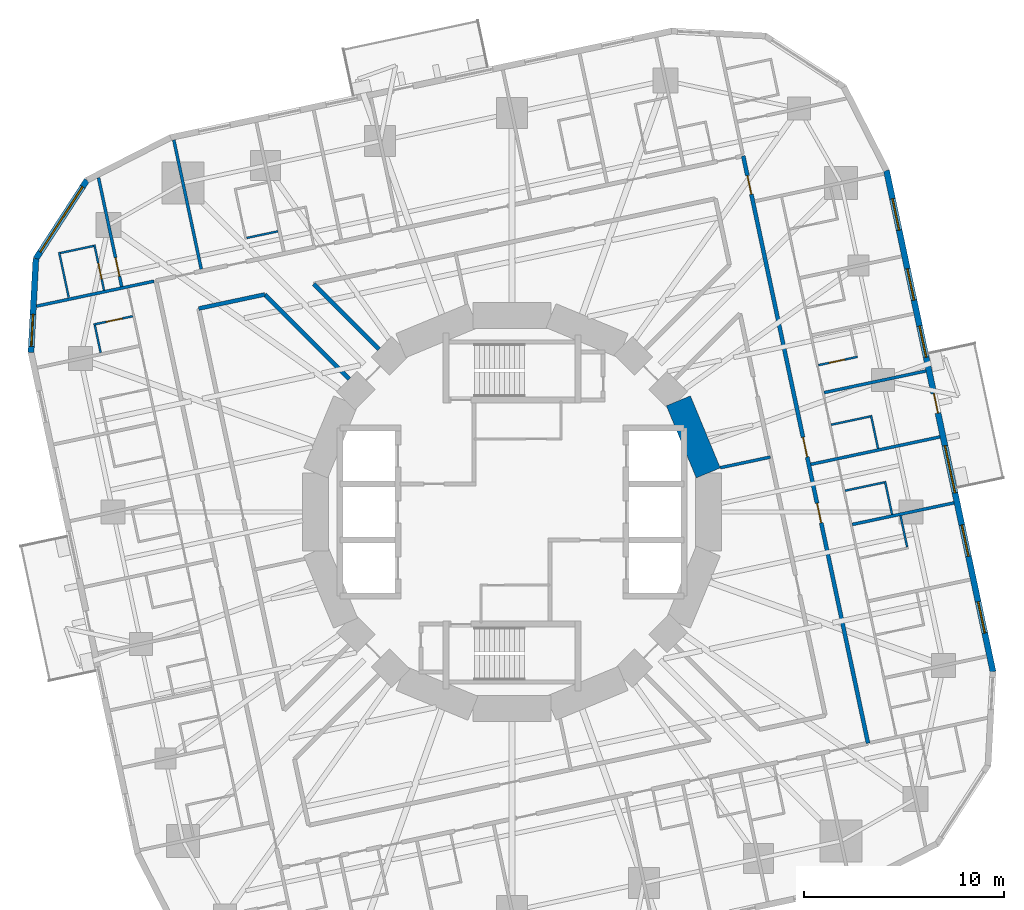
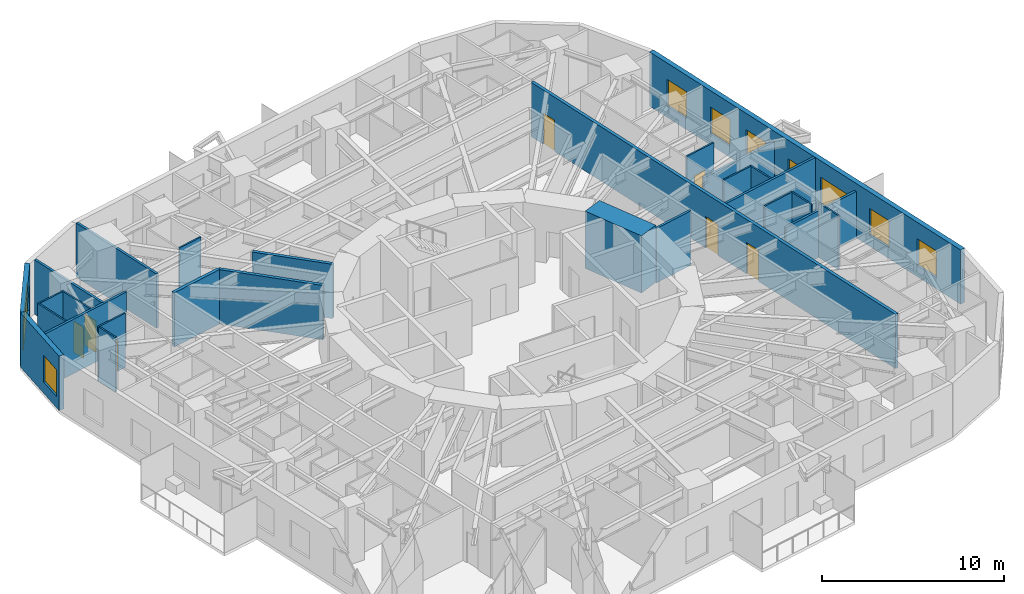
# One storey, part 9 of 14: 27 walls, 8 doors, 8 windows, 16 openings.
"""IFC4 building model written with IfcOpenShell, lengths in metres."""

from ifc_helpers import new_model, si_unit, direction, frame, frame_2d, origin, place, context, subcontext, project, spatial, rectangle, extrude, material, layer, layer_set, type_object, element, fill, save


model = new_model("IFC4")

# Units and contexts
model_context = context("Model", 3, precision=1e-05, world=origin(), true_north=direction((0.0, 1.0)))
body_context = subcontext(model_context, "Body", "Model", "MODEL_VIEW")
ifc_project = project(units=[si_unit("LENGTHUNIT", "METRE"), si_unit("AREAUNIT", "SQUARE_METRE"), si_unit("VOLUMEUNIT", "CUBIC_METRE"), si_unit("PLANEANGLEUNIT", "RADIAN"), si_unit("MASSUNIT", "GRAM", prefix="KILO")], contexts=[model_context])

# Site, building, storey
site_placement = place(None, origin())
site = spatial("IfcSite", under=ifc_project, at=site_placement, CompositionType="ELEMENT")
building_placement = place(site_placement, origin())
building = spatial("IfcBuilding", under=site, at=building_placement, Name="Nakasero Lantern House", CompositionType="ELEMENT")
storey_placement = place(building_placement, frame((0.0, 0.0, 128.10009765625)))
storey = spatial("IfcBuildingStorey", under=building, at=storey_placement, Name="L31", CompositionType="ELEMENT", Elevation=128.10009765625)

# Wall
ifc_material_1 = material(Name="Concrete C50/60", Category="concrete")
ifc_layer_1 = layer(ifc_material_1, 1.300048828125)
ifc_layer_set_1 = layer_set([ifc_layer_1], Name="Core wall 1300")
wall_type_1 = type_object("IfcWallType", Name="Core wall 1300", PredefinedType="SHEAR", material=ifc_layer_set_1)
wall_1_placement = place(storey_placement, frame((9.807861328125, 1.950927734375, 0.0), z_axis=(0.0, 0.0, 1.0), x_axis=(-0.382690736062, 0.923876507187, 0.0)))
element("IfcWall", 1, at=wall_1_placement, inside=storey, type_object=wall_type_1, Name="Core wall L31 facet 1", PredefinedType="SHEAR", context=body_context, shape_type="SweptSolid", body=[
    extrude(rectangle(XDim=3.90185546875, YDim=1.300048828125, at=frame_2d((1.950927734375, 0.0))), origin(), (0.0, 0.0, 1.0), 3.849853515625),
])

# Wall, openings, doors
ifc_material_2 = material(Name="Blockwork", Category="masonry")
ifc_layer_2 = layer(ifc_material_2, 0.199951171875)
ifc_layer_set_2 = layer_set([ifc_layer_2], Name="Corridor wall 200")
wall_type_2 = type_object("IfcWallType", Name="Corridor wall 200", PredefinedType="PARTITIONING", material=ifc_layer_set_2)
wall_2_placement = place(storey_placement, frame((17.790771484375, -11.553466796875, 0.0), z_axis=(0.0, 0.0, 1.0), x_axis=(-0.207911508826, 0.978147639417, 0.0)))
wall_2 = element("IfcWall", 2, at=wall_2_placement, inside=storey, type_object=wall_type_2, Name="Corridor wall L31 CW0", PredefinedType="PARTITIONING", context=body_context, shape_type="SweptSolid", body=[
    extrude(rectangle(XDim=29.999755859375, YDim=0.199951171875, at=frame_2d((15.0, 0.0))), origin(), (0.0, 0.0, 1.0), 3.64990234375),
])
opening_1_placement = place(wall_2_placement, frame((11.255126953125, 0.0, 0.0)))
opening_1 = element("IfcOpeningElement", 3, at=opening_1_placement, cuts=wall_2, Name="Opening D14", PredefinedType="OPENING", context=body_context, shape_type="SweptSolid", body=[
    extrude(rectangle(XDim=1.0, YDim=2.10009765625, at=frame_2d((0.5, 1.050048828125))), frame((0.0, 0.119873046875, 0.0), z_axis=(0.0, -1.0, 0.0), x_axis=(1.0, 0.0, 0.0)), (0.0, 0.0, 1.0), 0.239990234375),
])
opening_2_placement = place(wall_2_placement, frame((14.623779296875, 0.0, 0.0)))
opening_2 = element("IfcOpeningElement", 4, at=opening_2_placement, cuts=wall_2, Name="Opening D14", PredefinedType="OPENING", context=body_context, shape_type="SweptSolid", body=[
    extrude(rectangle(XDim=1.0, YDim=2.10009765625, at=frame_2d((0.5, 1.050048828125))), frame((0.0, 0.119873046875, 0.0), z_axis=(0.0, -1.0, 0.0), x_axis=(1.0, 0.0, 0.0)), (0.0, 0.0, 1.0), 0.239990234375),
])
opening_3_placement = place(wall_2_placement, frame((28.038330078125, 0.0, 0.0)))
opening_3 = element("IfcOpeningElement", 5, at=opening_3_placement, cuts=wall_2, Name="Opening D01", PredefinedType="OPENING", context=body_context, shape_type="SweptSolid", body=[
    extrude(rectangle(XDim=0.949951171875, YDim=2.10009765625, at=frame_2d((0.47509765625, 1.050048828125))), frame((0.0, 0.119873046875, 0.0), z_axis=(0.0, -1.0, 0.0), x_axis=(1.0, 0.0, 0.0)), (0.0, 0.0, 1.0), 0.239990234375),
])
ifc_material_3 = material(Name="Timber C24", Category="wood")
door_type_1 = type_object("IfcDoorType", Name="Bedroom door FD30S 950", OperationType="SINGLE_SWING_LEFT", PredefinedType="DOOR", material=ifc_material_3)
door_1_placement = place(opening_3_placement, origin())
door_1 = element("IfcDoor", 6, at=door_1_placement, inside=storey, type_object=door_type_1, Name="Door L31 D0-08", OperationType="SINGLE_SWING_RIGHT", OverallHeight=2.10009765625, OverallWidth=0.949951171875, PredefinedType="DOOR", context=body_context, shape_type="SweptSolid", body=[
    extrude(rectangle(XDim=0.949951171875, YDim=2.10009765625, at=frame_2d((0.47509765625, 1.050048828125))), frame((0.0, 0.02490234375, 0.0), z_axis=(0.0, -1.0, 0.0), x_axis=(1.0, 0.0, 0.0)), (0.0, 0.0, 1.0), 0.050048828125),
])
fill(opening_3, door_1)
ifc_material_4 = material(Name="Timber C24", Category="wood")
door_type_2 = type_object("IfcDoorType", Name="Cluster entrance door FD30S 1000", OperationType="SINGLE_SWING_LEFT", PredefinedType="DOOR", material=ifc_material_4)
door_2_placement = place(opening_1_placement, origin())
door_2 = element("IfcDoor", 7, at=door_2_placement, inside=storey, type_object=door_type_2, Name="Door L31 DF0-0", OperationType="SINGLE_SWING_LEFT", OverallHeight=2.10009765625, OverallWidth=1.0, PredefinedType="DOOR", context=body_context, shape_type="SweptSolid", body=[
    extrude(rectangle(XDim=1.0, YDim=2.10009765625, at=frame_2d((0.5, 1.050048828125))), frame((0.0, 0.02490234375, 0.0), z_axis=(0.0, -1.0, 0.0), x_axis=(1.0, 0.0, 0.0)), (0.0, 0.0, 1.0), 0.050048828125),
])
fill(opening_1, door_2)
door_3_placement = place(opening_2_placement, origin())
door_3 = element("IfcDoor", 8, at=door_3_placement, inside=storey, type_object=door_type_2, Name="Door L31 DF0-1", OperationType="SINGLE_SWING_RIGHT", OverallHeight=2.10009765625, OverallWidth=1.0, PredefinedType="DOOR", context=body_context, shape_type="SweptSolid", body=[
    extrude(rectangle(XDim=1.0, YDim=2.10009765625, at=frame_2d((0.5, 1.050048828125))), frame((0.0, 0.02490234375, 0.0), z_axis=(0.0, -1.0, 0.0), x_axis=(1.0, 0.0, 0.0)), (0.0, 0.0, 1.0), 0.050048828125),
])
fill(opening_2, door_3)

# Walls
wall_3_placement = place(storey_placement, frame((-12.35400390625, 10.868896484375, 0.0), z_axis=(0.0, 0.0, 1.0), x_axis=(-0.978145063506, -0.207923627178, 0.0)))
element("IfcWall", 9, at=wall_3_placement, inside=storey, type_object=wall_type_2, Name="Corridor wall L31 IW1-1", PredefinedType="PARTITIONING", context=body_context, shape_type="SweptSolid", body=[
    extrude(rectangle(XDim=3.375732421875, YDim=0.199951171875, at=frame_2d((1.68798828125, 0.0))), origin(), (0.0, 0.0, 1.0), 3.64990234375),
])
wall_4_placement = place(storey_placement, frame((-8.13720703125, 6.65234375, 0.0), z_axis=(0.0, 0.0, 1.0), x_axis=(-0.707127251225, 0.707086310555, 0.0)))
element("IfcWall", 10, at=wall_4_placement, inside=storey, type_object=wall_type_2, Name="Corridor wall L31 PS06a", PredefinedType="PARTITIONING", context=body_context, shape_type="SweptSolid", body=[
    extrude(rectangle(XDim=5.96337890625, YDim=0.199951171875, at=frame_2d((2.981689453125, 0.0))), origin(), (0.0, 0.0, 1.0), 3.64990234375),
])
wall_5_placement = place(storey_placement, frame((-6.65234375, 8.13720703125, 0.0), z_axis=(0.0, 0.0, 1.0), x_axis=(-0.707106781187, 0.707106781187, 0.0)))
element("IfcWall", 11, at=wall_5_placement, inside=storey, type_object=wall_type_2, Name="Corridor wall L31 PS06b", PredefinedType="PARTITIONING", context=body_context, shape_type="SweptSolid", body=[
    extrude(rectangle(XDim=4.599609375, YDim=0.199951171875, at=frame_2d((2.2998046875, 0.0))), origin(), (0.0, 0.0, 1.0), 3.64990234375),
])
ifc_material_5 = material(Name="Blockwork", Category="masonry")
ifc_layer_3 = layer(ifc_material_5, 0.10009765625)
ifc_layer_set_3 = layer_set([ifc_layer_3], Name="En-suite wall 100")
wall_type_3 = type_object("IfcWallType", Name="En-suite wall 100", PredefinedType="PARTITIONING", material=ifc_layer_set_3)
wall_6_placement = place(storey_placement, frame((16.642578125, 1.0634765625, 0.0), z_axis=(0.0, 0.0, 1.0), x_axis=(0.978134617382, 0.207972763311, 0.0)))
element("IfcWall", 12, at=wall_6_placement, inside=storey, type_object=wall_type_3, Name="En-suite wall L31 SS0-0", PredefinedType="PARTITIONING", context=body_context, shape_type="SweptSolid", body=[
    extrude(rectangle(XDim=2.10009765625, YDim=0.10009765625, at=frame_2d((1.050048828125, 0.0))), origin(), (0.0, 0.0, 1.0), 3.64990234375),
])
wall_7_placement = place(storey_placement, frame((18.99072265625, -0.124267578125, 0.0), z_axis=(0.0, 0.0, 1.0), x_axis=(-0.207812379357, 0.978168704767, 0.0)))
element("IfcWall", 13, at=wall_7_placement, inside=storey, type_object=wall_type_3, Name="En-suite wall L31 SE0-0", PredefinedType="PARTITIONING", context=body_context, shape_type="SweptSolid", body=[
    extrude(rectangle(XDim=1.699951171875, YDim=0.10009765625, at=frame_2d((0.85009765625, 0.0))), origin(), (0.0, 0.0, 1.0), 3.64990234375),
])
wall_8_placement = place(storey_placement, frame((15.942138671875, 4.358642578125, 0.0), z_axis=(0.0, 0.0, 1.0), x_axis=(0.97815826, 0.207861536591, 0.0)))
element("IfcWall", 14, at=wall_8_placement, inside=storey, type_object=wall_type_3, Name="En-suite wall L31 SS0-1", PredefinedType="PARTITIONING", context=body_context, shape_type="SweptSolid", body=[
    extrude(rectangle(XDim=2.10009765625, YDim=0.10009765625, at=frame_2d((1.050048828125, 0.0))), origin(), (0.0, 0.0, 1.0), 3.64990234375),
])
wall_9_placement = place(storey_placement, frame((18.29052734375, 3.1708984375, 0.0), z_axis=(0.0, 0.0, 1.0), x_axis=(-0.207949787024, 0.97813950236, 0.0)))
element("IfcWall", 15, at=wall_9_placement, inside=storey, type_object=wall_type_3, Name="En-suite wall L31 SE0-1", PredefinedType="PARTITIONING", context=body_context, shape_type="SweptSolid", body=[
    extrude(rectangle(XDim=1.699951171875, YDim=0.10009765625, at=frame_2d((0.85009765625, 0.0))), origin(), (0.0, 0.0, 1.0), 3.64990234375),
])
wall_10_placement = place(storey_placement, frame((19.745849609375, -1.752685546875, 0.0), z_axis=(0.0, 0.0, 1.0), x_axis=(-0.207840504985, 0.978162729042, 0.0)))
element("IfcWall", 16, at=wall_10_placement, inside=storey, type_object=wall_type_3, Name="En-suite wall L31 EE0-02", PredefinedType="PARTITIONING", context=body_context, shape_type="SweptSolid", body=[
    extrude(rectangle(XDim=1.599853515625, YDim=0.10009765625, at=frame_2d((0.7998046875, 0.0))), origin(), (0.0, 0.0, 1.0), 3.64990234375),
])

# Wall, opening, door
wall_11_placement = place(storey_placement, frame((15.30908203125, 7.337158203125, 0.0), z_axis=(0.0, 0.0, 1.0), x_axis=(0.978152955943, 0.207886494942, 0.0)))
wall_11 = element("IfcWall", 17, at=wall_11_placement, inside=storey, type_object=wall_type_3, Name="En-suite wall L31 ES0-05", PredefinedType="PARTITIONING", context=body_context, shape_type="SweptSolid", body=[
    extrude(rectangle(XDim=2.0, YDim=0.10009765625, at=frame_2d((1.0, 0.0))), origin(), (0.0, 0.0, 1.0), 3.64990234375),
])
opening_4_placement = place(wall_11_placement, frame((0.550048828125, 0.0, 0.0)))
opening_4 = element("IfcOpeningElement", 18, at=opening_4_placement, cuts=wall_11, Name="Opening D02", PredefinedType="OPENING", context=body_context, shape_type="SweptSolid", body=[
    extrude(rectangle(XDim=0.800048828125, YDim=2.10009765625, at=frame_2d((0.39990234375, 1.050048828125))), frame((0.0, 0.070068359375, 0.0), z_axis=(0.0, -1.0, 0.0), x_axis=(1.0, 0.0, 0.0)), (0.0, 0.0, 1.0), 0.14013671875),
])
ifc_material_6 = material(Name="Timber C24", Category="wood")
door_type_3 = type_object("IfcDoorType", Name="En-suite door 800", OperationType="SINGLE_SWING_RIGHT", PredefinedType="DOOR", material=ifc_material_6)
door_4_placement = place(opening_4_placement, origin())
door_4 = element("IfcDoor", 19, at=door_4_placement, inside=storey, type_object=door_type_3, Name="Door L31 DE0-05", OperationType="SINGLE_SWING_LEFT", OverallHeight=2.10009765625, OverallWidth=0.800048828125, PredefinedType="DOOR", context=body_context, shape_type="SweptSolid", body=[
    extrude(rectangle(XDim=0.800048828125, YDim=2.10009765625, at=frame_2d((0.39990234375, 1.050048828125))), frame((0.0, 0.02490234375, 0.0), z_axis=(0.0, -1.0, 0.0), x_axis=(1.0, 0.0, 0.0)), (0.0, 0.0, 1.0), 0.050048828125),
])
fill(opening_4, door_4)

# Wall
wall_12_placement = place(storey_placement, frame((-11.69189453125, 14.025634765625, 0.0), z_axis=(0.0, 0.0, 1.0), x_axis=(-0.978131695374, -0.207986505584, 0.0)))
element("IfcWall", 20, at=wall_12_placement, inside=storey, type_object=wall_type_3, Name="En-suite wall L31 EI1-07", PredefinedType="PARTITIONING", context=body_context, shape_type="SweptSolid", body=[
    extrude(rectangle(XDim=1.599853515625, YDim=0.10009765625, at=frame_2d((0.7998046875, 0.0))), origin(), (0.0, 0.0, 1.0), 3.64990234375),
])

# Wall, opening, door
wall_13_placement = place(storey_placement, frame((-20.382568359375, 11.069091796875, 0.0), z_axis=(0.0, 0.0, 1.0), x_axis=(-0.207965047255, 0.978136257952, 0.0)))
wall_13 = element("IfcWall", 21, at=wall_13_placement, inside=storey, type_object=wall_type_3, Name="En-suite wall L31 ES1-08", PredefinedType="PARTITIONING", context=body_context, shape_type="SweptSolid", body=[
    extrude(rectangle(XDim=2.3349609375, YDim=0.10009765625, at=frame_2d((1.16748046875, 0.0))), origin(), (0.0, 0.0, 1.0), 3.64990234375),
])
opening_5_placement = place(wall_13_placement, frame((0.5849609375, 0.0, 0.0)))
opening_5 = element("IfcOpeningElement", 22, at=opening_5_placement, cuts=wall_13, Name="Opening D02", PredefinedType="OPENING", context=body_context, shape_type="SweptSolid", body=[
    extrude(rectangle(XDim=0.800048828125, YDim=2.10009765625, at=frame_2d((0.39990234375, 1.050048828125))), frame((0.0, 0.070068359375, 0.0), z_axis=(0.0, -1.0, 0.0), x_axis=(1.0, 0.0, 0.0)), (0.0, 0.0, 1.0), 0.14013671875),
])
door_5_placement = place(opening_5_placement, origin())
door_5 = element("IfcDoor", 23, at=door_5_placement, inside=storey, type_object=door_type_3, Name="Door L31 DE1-08", OperationType="SINGLE_SWING_LEFT", OverallHeight=2.10009765625, OverallWidth=0.800048828125, PredefinedType="DOOR", context=body_context, shape_type="SweptSolid", body=[
    extrude(rectangle(XDim=0.800048828125, YDim=2.10009765625, at=frame_2d((0.39990234375, 1.050048828125))), frame((0.0, 0.02490234375, 0.0), z_axis=(0.0, -1.0, 0.0), x_axis=(1.0, 0.0, 0.0)), (0.0, 0.0, 1.0), 0.050048828125),
])
fill(opening_5, door_5)

# Walls
wall_14_placement = place(storey_placement, frame((-20.906494140625, 13.293701171875, 0.0), z_axis=(0.0, 0.0, 1.0), x_axis=(-0.978168704767, -0.207812379357, 0.0)))
element("IfcWall", 24, at=wall_14_placement, inside=storey, type_object=wall_type_3, Name="En-suite wall L31 EE1-08", PredefinedType="PARTITIONING", context=body_context, shape_type="SweptSolid", body=[
    extrude(rectangle(XDim=1.699951171875, YDim=0.10009765625, at=frame_2d((0.85009765625, 0.0))), origin(), (0.0, 0.0, 1.0), 3.64990234375),
])
wall_15_placement = place(storey_placement, frame((-22.150634765625, 10.72900390625, 0.0), z_axis=(0.0, 0.0, 1.0), x_axis=(-0.207839712757, 0.978162897375, 0.0)))
element("IfcWall", 25, at=wall_15_placement, inside=storey, type_object=wall_type_3, Name="En-suite wall L31 EV1-08", PredefinedType="PARTITIONING", context=body_context, shape_type="SweptSolid", body=[
    extrude(rectangle(XDim=2.300048828125, YDim=0.10009765625, at=frame_2d((1.14990234375, 0.0))), origin(), (0.0, 0.0, 1.0), 3.64990234375),
])

# Wall, opening, door
wall_16_placement = place(storey_placement, frame((-18.947998046875, 9.783203125, 0.0), z_axis=(0.0, 0.0, 1.0), x_axis=(-0.978128127149, -0.208003285743, 0.0)))
wall_16 = element("IfcWall", 26, at=wall_16_placement, inside=storey, type_object=wall_type_3, Name="En-suite wall L31 ES2-00", PredefinedType="PARTITIONING", context=body_context, shape_type="SweptSolid", body=[
    extrude(rectangle(XDim=2.0, YDim=0.10009765625, at=frame_2d((1.0, 0.0))), origin(), (0.0, 0.0, 1.0), 3.64990234375),
])
opening_6_placement = place(wall_16_placement, frame((0.550048828125, 0.0, 0.0)))
opening_6 = element("IfcOpeningElement", 27, at=opening_6_placement, cuts=wall_16, Name="Opening D02", PredefinedType="OPENING", context=body_context, shape_type="SweptSolid", body=[
    extrude(rectangle(XDim=0.800048828125, YDim=2.10009765625, at=frame_2d((0.39990234375, 1.050048828125))), frame((0.0, 0.070068359375, 0.0), z_axis=(0.0, -1.0, 0.0), x_axis=(1.0, 0.0, 0.0)), (0.0, 0.0, 1.0), 0.14013671875),
])
door_6_placement = place(opening_6_placement, origin())
door_6 = element("IfcDoor", 28, at=door_6_placement, inside=storey, type_object=door_type_3, Name="Door L31 DE2-00", OperationType="SINGLE_SWING_LEFT", OverallHeight=2.10009765625, OverallWidth=0.800048828125, PredefinedType="DOOR", context=body_context, shape_type="SweptSolid", body=[
    extrude(rectangle(XDim=0.800048828125, YDim=2.10009765625, at=frame_2d((0.39990234375, 1.050048828125))), frame((0.0, 0.02490234375, 0.0), z_axis=(0.0, -1.0, 0.0), x_axis=(1.0, 0.0, 0.0)), (0.0, 0.0, 1.0), 0.050048828125),
])
fill(opening_6, door_6)

# Wall
wall_17_placement = place(storey_placement, frame((-20.844970703125, 9.328857421875, 0.0), z_axis=(0.0, 0.0, 1.0), x_axis=(0.207873355681, -0.978155748334, 0.0)))
element("IfcWall", 29, at=wall_17_placement, inside=storey, type_object=wall_type_3, Name="En-suite wall L31 EE2-00", PredefinedType="PARTITIONING", context=body_context, shape_type="SweptSolid", body=[
    extrude(rectangle(XDim=1.39990234375, YDim=0.10009765625, at=frame_2d((0.699951171875, 0.0))), origin(), (0.0, 0.0, 1.0), 3.64990234375),
])

# Wall, openings, door, windows
ifc_material_7 = material(Name="Aluminium rainscreen on blockwork", Category="masonry")
ifc_layer_4 = layer(ifc_material_7, 0.300048828125)
ifc_layer_set_4 = layer_set([ifc_layer_4], Name="Facade wall 300")
wall_type_4 = type_object("IfcWallType", Name="Facade wall 300", PredefinedType="SOLIDWALL", material=ifc_layer_set_4)
wall_18_placement = place(storey_placement, frame((24.03369140625, -7.9775390625, 0.0), z_axis=(0.0, 0.0, 1.0), x_axis=(-0.207909055127, 0.978148160964, 0.0)))
wall_18 = element("IfcWall", 30, at=wall_18_placement, inside=storey, type_object=wall_type_4, Name="Facade wall L31 FW0S", PredefinedType="SOLIDWALL", context=body_context, shape_type="SweptSolid", body=[
    extrude(rectangle(XDim=25.60009765625, YDim=0.300048828125, at=frame_2d((12.800048828125, 0.0))), origin(), (0.0, 0.0, 1.0), 3.64990234375),
])
opening_7_placement = place(wall_18_placement, frame((1.975830078125, 0.0, 0.75)))
opening_7 = element("IfcOpeningElement", 31, at=opening_7_placement, cuts=wall_18, Name="Opening W01", PredefinedType="OPENING", context=body_context, shape_type="SweptSolid", body=[
    extrude(rectangle(XDim=1.60009765625, YDim=1.800048828125, at=frame_2d((0.800048828125, 0.89990234375))), frame((0.0, 0.169921875, 0.0), z_axis=(0.0, -1.0, 0.0), x_axis=(1.0, 0.0, 0.0)), (0.0, 0.0, 1.0), 0.340087890625),
])
opening_8_placement = place(wall_18_placement, frame((5.8955078125, 0.0, 0.75)))
opening_8 = element("IfcOpeningElement", 32, at=opening_8_placement, cuts=wall_18, Name="Opening W01", PredefinedType="OPENING", context=body_context, shape_type="SweptSolid", body=[
    extrude(rectangle(XDim=1.60009765625, YDim=1.800048828125, at=frame_2d((0.800048828125, 0.89990234375))), frame((0.0, 0.169921875, 0.0), z_axis=(0.0, -1.0, 0.0), x_axis=(1.0, 0.0, 0.0)), (0.0, 0.0, 1.0), 0.340087890625),
])
opening_9_placement = place(wall_18_placement, frame((16.0556640625, 0.0, 0.75)))
opening_9 = element("IfcOpeningElement", 33, at=opening_9_placement, cuts=wall_18, Name="Opening W01", PredefinedType="OPENING", context=body_context, shape_type="SweptSolid", body=[
    extrude(rectangle(XDim=1.60009765625, YDim=1.800048828125, at=frame_2d((0.800048828125, 0.89990234375))), frame((0.0, 0.169921875, 0.0), z_axis=(0.0, -1.0, 0.0), x_axis=(1.0, 0.0, 0.0)), (0.0, 0.0, 1.0), 0.340087890625),
])
opening_10_placement = place(wall_18_placement, frame((18.982177734375, 0.0, 0.75)))
opening_10 = element("IfcOpeningElement", 34, at=opening_10_placement, cuts=wall_18, Name="Opening W01", PredefinedType="OPENING", context=body_context, shape_type="SweptSolid", body=[
    extrude(rectangle(XDim=1.60009765625, YDim=1.800048828125, at=frame_2d((0.800048828125, 0.89990234375))), frame((0.0, 0.169921875, 0.0), z_axis=(0.0, -1.0, 0.0), x_axis=(1.0, 0.0, 0.0)), (0.0, 0.0, 1.0), 0.340087890625),
])
opening_11_placement = place(wall_18_placement, frame((22.554443359375, 0.0, 0.75)))
opening_11 = element("IfcOpeningElement", 35, at=opening_11_placement, cuts=wall_18, Name="Opening W01", PredefinedType="OPENING", context=body_context, shape_type="SweptSolid", body=[
    extrude(rectangle(XDim=1.60009765625, YDim=1.800048828125, at=frame_2d((0.800048828125, 0.89990234375))), frame((0.0, 0.169921875, 0.0), z_axis=(0.0, -1.0, 0.0), x_axis=(1.0, 0.0, 0.0)), (0.0, 0.0, 1.0), 0.340087890625),
])
opening_12_placement = place(wall_18_placement, frame((9.139404296875, 0.0, 0.75)))
opening_12 = element("IfcOpeningElement", 36, at=opening_12_placement, cuts=wall_18, Name="Opening W03", PredefinedType="OPENING", context=body_context, shape_type="SweptSolid", body=[
    extrude(rectangle(XDim=2.39990234375, YDim=1.800048828125, at=frame_2d((1.199951171875, 0.89990234375))), frame((0.0, 0.169921875, 0.0), z_axis=(0.0, -1.0, 0.0), x_axis=(1.0, 0.0, 0.0)), (0.0, 0.0, 1.0), 0.340087890625),
])
opening_13_placement = place(wall_18_placement, frame((13.208251953125, 0.0, 0.0)))
opening_13 = element("IfcOpeningElement", 37, at=opening_13_placement, cuts=wall_18, Name="Opening D04", PredefinedType="OPENING", context=body_context, shape_type="SweptSolid", body=[
    extrude(rectangle(XDim=1.0, YDim=2.39990234375, at=frame_2d((0.5, 1.199951171875))), frame((0.0, 0.169921875, 0.0), z_axis=(0.0, -1.0, 0.0), x_axis=(1.0, 0.0, 0.0)), (0.0, 0.0, 1.0), 0.340087890625),
])
ifc_material_8 = material(Name="Aluminium 6063-T6 and glass", Category="aluminium")
door_type_4 = type_object("IfcDoorType", Name="Balcony door 1000x2400", OperationType="SINGLE_SWING_RIGHT", PredefinedType="DOOR", material=ifc_material_8)
door_7_placement = place(opening_13_placement, origin())
door_7 = element("IfcDoor", 38, at=door_7_placement, inside=storey, type_object=door_type_4, Name="Balcony door L31 DB0", OperationType="SINGLE_SWING_RIGHT", OverallHeight=2.39990234375, OverallWidth=1.0, PredefinedType="DOOR", context=body_context, shape_type="SweptSolid", body=[
    extrude(rectangle(XDim=1.0, YDim=2.39990234375, at=frame_2d((0.5, 1.199951171875))), frame((0.0, 0.02490234375, 0.0), z_axis=(0.0, -1.0, 0.0), x_axis=(1.0, 0.0, 0.0)), (0.0, 0.0, 1.0), 0.050048828125),
])
fill(opening_13, door_7)
ifc_material_9 = material(Name="Aluminium 6063-T6 and glass", Category="aluminium")
window_type_1 = type_object("IfcWindowType", Name="Bedroom window 1600x1800", PartitioningType="SINGLE_PANEL", PredefinedType="WINDOW", material=ifc_material_9)
window_1_placement = place(opening_7_placement, origin())
window_1 = element("IfcWindow", 39, at=window_1_placement, inside=storey, type_object=window_type_1, Name="Window L31 WN0-01", OverallHeight=1.800048828125, OverallWidth=1.60009765625, PartitioningType="SINGLE_PANEL", PredefinedType="WINDOW", context=body_context, shape_type="SweptSolid", body=[
    extrude(rectangle(XDim=1.60009765625, YDim=1.800048828125, at=frame_2d((0.800048828125, 0.89990234375))), frame((0.0, 0.030029296875, 0.0), z_axis=(0.0, -1.0, 0.0), x_axis=(1.0, 0.0, 0.0)), (0.0, 0.0, 1.0), 0.06005859375),
])
fill(opening_7, window_1)
window_2_placement = place(opening_8_placement, origin())
window_2 = element("IfcWindow", 40, at=window_2_placement, inside=storey, type_object=window_type_1, Name="Window L31 WN0-02", OverallHeight=1.800048828125, OverallWidth=1.60009765625, PartitioningType="SINGLE_PANEL", PredefinedType="WINDOW", context=body_context, shape_type="SweptSolid", body=[
    extrude(rectangle(XDim=1.60009765625, YDim=1.800048828125, at=frame_2d((0.800048828125, 0.89990234375))), frame((0.0, 0.030029296875, 0.0), z_axis=(0.0, -1.0, 0.0), x_axis=(1.0, 0.0, 0.0)), (0.0, 0.0, 1.0), 0.06005859375),
])
fill(opening_8, window_2)
window_3_placement = place(opening_9_placement, origin())
window_3 = element("IfcWindow", 41, at=window_3_placement, inside=storey, type_object=window_type_1, Name="Window L31 WN0-05", OverallHeight=1.800048828125, OverallWidth=1.60009765625, PartitioningType="SINGLE_PANEL", PredefinedType="WINDOW", context=body_context, shape_type="SweptSolid", body=[
    extrude(rectangle(XDim=1.60009765625, YDim=1.800048828125, at=frame_2d((0.800048828125, 0.89990234375))), frame((0.0, 0.030029296875, 0.0), z_axis=(0.0, -1.0, 0.0), x_axis=(1.0, 0.0, 0.0)), (0.0, 0.0, 1.0), 0.06005859375),
])
fill(opening_9, window_3)
window_4_placement = place(opening_10_placement, origin())
window_4 = element("IfcWindow", 42, at=window_4_placement, inside=storey, type_object=window_type_1, Name="Window L31 WN0-06", OverallHeight=1.800048828125, OverallWidth=1.60009765625, PartitioningType="SINGLE_PANEL", PredefinedType="WINDOW", context=body_context, shape_type="SweptSolid", body=[
    extrude(rectangle(XDim=1.60009765625, YDim=1.800048828125, at=frame_2d((0.800048828125, 0.89990234375))), frame((0.0, 0.030029296875, 0.0), z_axis=(0.0, -1.0, 0.0), x_axis=(1.0, 0.0, 0.0)), (0.0, 0.0, 1.0), 0.06005859375),
])
fill(opening_10, window_4)
window_5_placement = place(opening_11_placement, origin())
window_5 = element("IfcWindow", 43, at=window_5_placement, inside=storey, type_object=window_type_1, Name="Window L31 WN0-07", OverallHeight=1.800048828125, OverallWidth=1.60009765625, PartitioningType="SINGLE_PANEL", PredefinedType="WINDOW", context=body_context, shape_type="SweptSolid", body=[
    extrude(rectangle(XDim=1.60009765625, YDim=1.800048828125, at=frame_2d((0.800048828125, 0.89990234375))), frame((0.0, 0.030029296875, 0.0), z_axis=(0.0, -1.0, 0.0), x_axis=(1.0, 0.0, 0.0)), (0.0, 0.0, 1.0), 0.06005859375),
])
fill(opening_11, window_5)
ifc_material_10 = material(Name="Aluminium 6063-T6 and glass", Category="aluminium")
window_type_2 = type_object("IfcWindowType", Name="Lounge window 2400x1800", PartitioningType="SINGLE_PANEL", PredefinedType="WINDOW", material=ifc_material_10)
window_6_placement = place(opening_12_placement, origin())
window_6 = element("IfcWindow", 44, at=window_6_placement, inside=storey, type_object=window_type_2, Name="Window L31 WK0", OverallHeight=1.800048828125, OverallWidth=2.39990234375, PartitioningType="SINGLE_PANEL", PredefinedType="WINDOW", context=body_context, shape_type="SweptSolid", body=[
    extrude(rectangle(XDim=2.39990234375, YDim=1.800048828125, at=frame_2d((1.199951171875, 0.89990234375))), frame((0.0, 0.030029296875, 0.0), z_axis=(0.0, -1.0, 0.0), x_axis=(1.0, 0.0, 0.0)), (0.0, 0.0, 1.0), 0.06005859375),
])
fill(opening_12, window_6)

# Wall, opening, window
wall_19_placement = place(storey_placement, frame((-21.2373046875, 16.58447265625, 0.0), z_axis=(0.0, 0.0, 1.0), x_axis=(-0.544605442853, -0.838692381994, 0.0)))
wall_19 = element("IfcWall", 45, at=wall_19_placement, inside=storey, type_object=wall_type_4, Name="Facade wall L31 FW1C2", PredefinedType="SOLIDWALL", context=body_context, shape_type="SweptSolid", body=[
    extrude(rectangle(XDim=4.6845703125, YDim=0.300048828125, at=frame_2d((2.34228515625, 0.0))), origin(), (0.0, 0.0, 1.0), 3.64990234375),
])
opening_14_placement = place(wall_19_placement, frame((0.39990234375, 0.0, 0.75)))
opening_14 = element("IfcOpeningElement", 46, at=opening_14_placement, cuts=wall_19, Name="Opening W238", PredefinedType="OPENING", context=body_context, shape_type="SweptSolid", body=[
    extrude(rectangle(XDim=3.885009765625, YDim=1.800048828125, at=frame_2d((1.9423828125, 0.89990234375))), frame((0.0, 0.169921875, 0.0), z_axis=(0.0, -1.0, 0.0), x_axis=(1.0, 0.0, 0.0)), (0.0, 0.0, 1.0), 0.340087890625),
])
ifc_material_11 = material(Name="Aluminium 6063-T6 and glass", Category="aluminium")
window_type_3 = type_object("IfcWindowType", Name="Corner window 3885x1800", PartitioningType="SINGLE_PANEL", PredefinedType="WINDOW", material=ifc_material_11)
window_7_placement = place(opening_14_placement, origin())
window_7 = element("IfcWindow", 47, at=window_7_placement, inside=storey, type_object=window_type_3, Name="Window L31 WC1", OverallHeight=1.800048828125, OverallWidth=3.885009765625, PartitioningType="SINGLE_PANEL", PredefinedType="WINDOW", context=body_context, shape_type="SweptSolid", body=[
    extrude(rectangle(XDim=3.885009765625, YDim=1.800048828125, at=frame_2d((1.9423828125, 0.89990234375))), frame((0.0, 0.030029296875, 0.0), z_axis=(0.0, -1.0, 0.0), x_axis=(1.0, 0.0, 0.0)), (0.0, 0.0, 1.0), 0.06005859375),
])
fill(opening_14, window_7)

wall_20_placement = place(storey_placement, frame((-23.78857421875, 12.655517578125, 0.0), z_axis=(0.0, 0.0, 1.0), x_axis=(-0.052326317, -0.998630039879, 0.0)))
wall_20 = element("IfcWall", 48, at=wall_20_placement, inside=storey, type_object=wall_type_4, Name="Facade wall L31 FW1C3", PredefinedType="SOLIDWALL", context=body_context, shape_type="SweptSolid", body=[
    extrude(rectangle(XDim=4.684326171875, YDim=0.300048828125, at=frame_2d((2.34228515625, 0.0))), origin(), (0.0, 0.0, 1.0), 3.64990234375),
])
opening_15_placement = place(wall_20_placement, frame((2.784912109375, 0.0, 0.75)))
opening_15 = element("IfcOpeningElement", 49, at=opening_15_placement, cuts=wall_20, Name="Opening W01", PredefinedType="OPENING", context=body_context, shape_type="SweptSolid", body=[
    extrude(rectangle(XDim=1.60009765625, YDim=1.800048828125, at=frame_2d((0.800048828125, 0.89990234375))), frame((0.0, 0.169921875, 0.0), z_axis=(0.0, -1.0, 0.0), x_axis=(1.0, 0.0, 0.0)), (0.0, 0.0, 1.0), 0.340087890625),
])
window_8_placement = place(opening_15_placement, origin())
window_8 = element("IfcWindow", 50, at=window_8_placement, inside=storey, type_object=window_type_1, Name="Window L31 WN2-00", OverallHeight=1.800048828125, OverallWidth=1.60009765625, PartitioningType="SINGLE_PANEL", PredefinedType="WINDOW", context=body_context, shape_type="SweptSolid", body=[
    extrude(rectangle(XDim=1.60009765625, YDim=1.800048828125, at=frame_2d((0.800048828125, 0.89990234375))), frame((0.0, 0.030029296875, 0.0), z_axis=(0.0, -1.0, 0.0), x_axis=(1.0, 0.0, 0.0)), (0.0, 0.0, 1.0), 0.06005859375),
])
fill(opening_15, window_8)

# Walls
ifc_material_12 = material(Name="Blockwork", Category="masonry")
ifc_layer_5 = layer(ifc_material_12, 0.14990234375)
ifc_layer_set_5 = layer_set([ifc_layer_5], Name="Party wall 150")
wall_type_5 = type_object("IfcWallType", Name="Party wall 150", PredefinedType="PARTITIONING", material=ifc_layer_set_5)
wall_21_placement = place(storey_placement, frame((17.001220703125, -0.623779296875, 0.0), z_axis=(0.0, 0.0, 1.0), x_axis=(0.978141904084, 0.207938489641, 0.0)))
element("IfcWall", 51, at=wall_21_placement, inside=storey, type_object=wall_type_5, Name="Party wall L31 PW0-03", PredefinedType="PARTITIONING", context=body_context, shape_type="SweptSolid", body=[
    extrude(rectangle(XDim=5.2001953125, YDim=0.14990234375, at=frame_2d((2.60009765625, 0.0))), origin(), (0.0, 0.0, 1.0), 3.12158203125),
])
wall_22_placement = place(storey_placement, frame((14.931396484375, 2.38037109375, 0.0), z_axis=(0.0, 0.0, 1.0), x_axis=(0.97815236361, 0.207889281984, 0.0)))
element("IfcWall", 52, at=wall_22_placement, inside=storey, type_object=wall_type_5, Name="Party wall L31 PW0-04", PredefinedType="PARTITIONING", context=body_context, shape_type="SweptSolid", body=[
    extrude(rectangle(XDim=6.60009765625, YDim=0.14990234375, at=frame_2d((3.300048828125, 0.0))), origin(), (0.0, 0.0, 1.0), 3.64990234375),
])
wall_23_placement = place(storey_placement, frame((15.600341796875, 5.966552734375, 0.0), z_axis=(0.0, 0.0, 1.0), x_axis=(0.978151452323, 0.207893569688, 0.0)))
element("IfcWall", 53, at=wall_23_placement, inside=storey, type_object=wall_type_5, Name="Party wall L31 PW0-05", PredefinedType="PARTITIONING", context=body_context, shape_type="SweptSolid", body=[
    extrude(rectangle(XDim=5.199951171875, YDim=0.14990234375, at=frame_2d((2.60009765625, 0.0))), origin(), (0.0, 0.0, 1.0), 2.95703125),
])
wall_24_placement = place(storey_placement, frame((-15.526123046875, 12.13720703125, 0.0), z_axis=(0.0, 0.0, 1.0), x_axis=(-0.207924673876, 0.978144841009, 0.0)))
element("IfcWall", 54, at=wall_24_placement, inside=storey, type_object=wall_type_5, Name="Party wall L31 PW1-08", PredefinedType="PARTITIONING", context=body_context, shape_type="SweptSolid", body=[
    extrude(rectangle(XDim=6.60009765625, YDim=0.14990234375, at=frame_2d((3.300048828125, 0.0))), origin(), (0.0, 0.0, 1.0), 3.64990234375),
])

# Wall, opening, door
wall_25_placement = place(storey_placement, frame((-19.502197265625, 11.256103515625, 0.0), z_axis=(0.0, 0.0, 1.0), x_axis=(-0.207936339891, 0.978142361087, 0.0)))
wall_25 = element("IfcWall", 55, at=wall_25_placement, inside=storey, type_object=wall_type_5, Name="Party wall L31 PC1", PredefinedType="PARTITIONING", context=body_context, shape_type="SweptSolid", body=[
    extrude(rectangle(XDim=5.570068359375, YDim=0.14990234375, at=frame_2d((2.78515625, 0.0))), origin(), (0.0, 0.0, 1.0), 3.64990234375),
])
opening_16_placement = place(wall_25_placement, frame((0.534912109375, 0.0, 0.0)))
opening_16 = element("IfcOpeningElement", 56, at=opening_16_placement, cuts=wall_25, Name="Opening D01", PredefinedType="OPENING", context=body_context, shape_type="SweptSolid", body=[
    extrude(rectangle(XDim=0.949951171875, YDim=2.10009765625, at=frame_2d((0.47509765625, 1.050048828125))), frame((0.0, 0.094970703125, 0.0), z_axis=(0.0, -1.0, 0.0), x_axis=(1.0, 0.0, 0.0)), (0.0, 0.0, 1.0), 0.18994140625),
])
door_8_placement = place(opening_16_placement, origin())
door_8 = element("IfcDoor", 57, at=door_8_placement, inside=storey, type_object=door_type_1, Name="Door L31 DC1", OperationType="SINGLE_SWING_LEFT", OverallHeight=2.10009765625, OverallWidth=0.949951171875, PredefinedType="DOOR", context=body_context, shape_type="SweptSolid", body=[
    extrude(rectangle(XDim=0.949951171875, YDim=2.10009765625, at=frame_2d((0.47509765625, 1.050048828125))), frame((0.0, 0.02490234375, 0.0), z_axis=(0.0, -1.0, 0.0), x_axis=(1.0, 0.0, 0.0)), (0.0, 0.0, 1.0), 0.050048828125),
])
fill(opening_16, door_8)

# Walls
wall_26_placement = place(storey_placement, frame((-17.888671875, 11.53271484375, 0.0), z_axis=(0.0, 0.0, 1.0), x_axis=(-0.978152955943, -0.207886494942, 0.0)))
element("IfcWall", 58, at=wall_26_placement, inside=storey, type_object=wall_type_5, Name="Party wall L31 PW2-00", PredefinedType="PARTITIONING", context=body_context, shape_type="SweptSolid", body=[
    extrude(rectangle(XDim=6.0, YDim=0.14990234375, at=frame_2d((3.0, 0.0))), origin(), (0.0, 0.0, 1.0), 3.64990234375),
])
wall_27_placement = place(storey_placement, frame((12.91162109375, 2.744384765625, 0.0), z_axis=(0.0, 0.0, 1.0), x_axis=(-0.978159092909, -0.207857617037, 0.0)))
element("IfcWall", 59, at=wall_27_placement, inside=storey, type_object=wall_type_5, Name="Party wall L31 IM0", PredefinedType="PARTITIONING", context=body_context, shape_type="SweptSolid", body=[
    extrude(rectangle(XDim=2.56396484375, YDim=0.14990234375, at=frame_2d((1.281982421875, 0.0))), origin(), (0.0, 0.0, 1.0), 3.64990234375),
])

save(model, "model.ifc")
